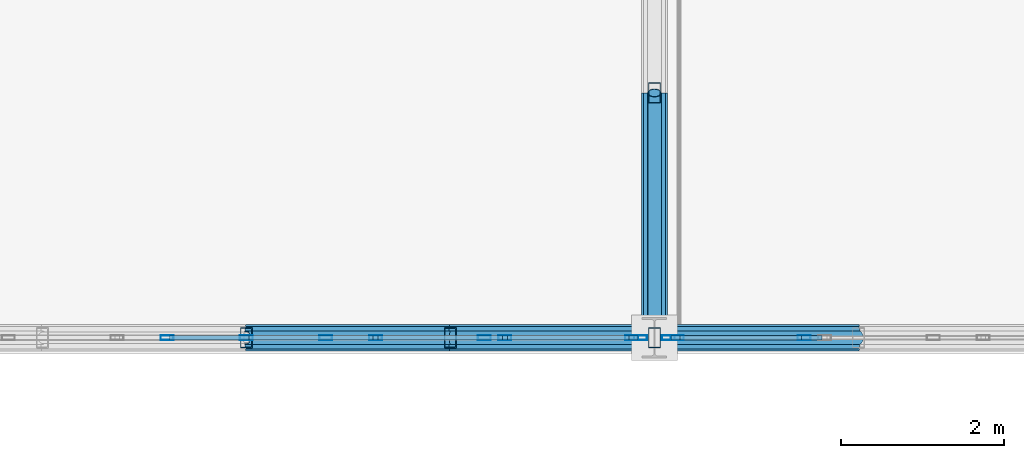
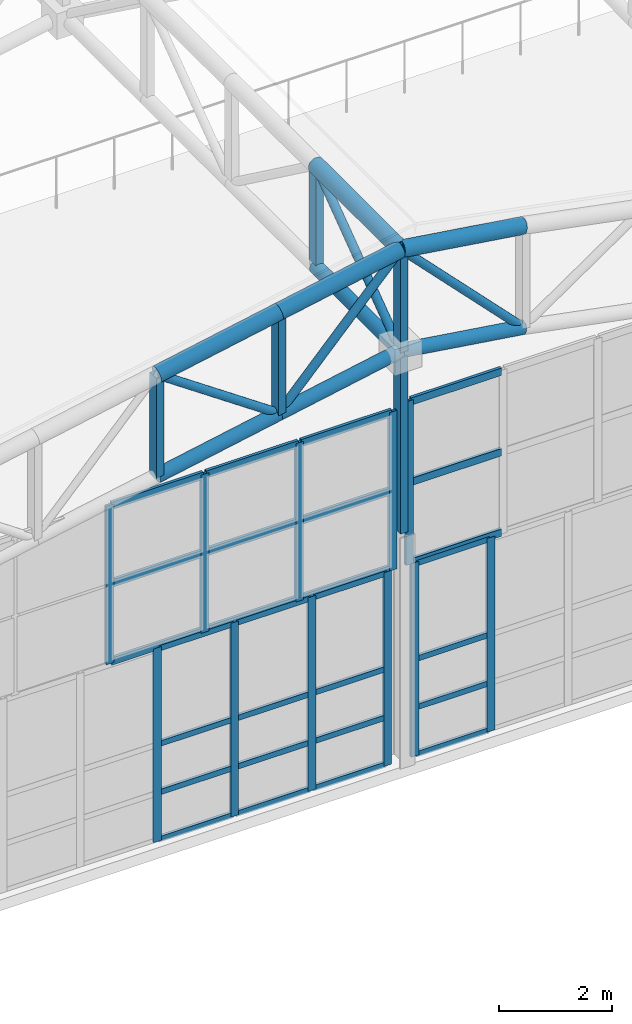
# One storey, part 48 of 112: 55 members, 4 elements without a shape of their own.
"""IFC4 building model written with IfcOpenShell, lengths in metres."""

import ifcopenshell
import ifcopenshell.guid

model = None  # the IFC model being written
_history = None  # IfcOwnerHistory: only IFC2X3 demands one
_inside = {}  # id of a spatial element -> (the spatial element, [elements in it])
_under = {}  # id of a project, library or spatial element -> (it, [spatial elements below it])
_declared = {}  # id of a project -> (the project, [libraries it declares])
_typed = {}  # id of a type object -> (the type object, [elements of that type])
_made_of = {}  # id of a material, layer set ... -> (it, [elements and type objects made of it])


def new_model(schema):
    """Start an empty IFC model of exactly this schema.

    Asked for "IFC4X3", IfcOpenShell would pick the latest addendum, in which some entities
    have other attributes; the version numbers below select the first issue.
    IFC2X3 requires an IfcOwnerHistory on every rooted entity: one is made here for all.
    """
    global model, _history
    if schema == "IFC4X3":
        model = ifcopenshell.file(schema_version=(4, 3, 0, 0))
    else:
        model = ifcopenshell.file(schema=schema)
    _inside.clear()
    _under.clear()
    _declared.clear()
    _typed.clear()
    _made_of.clear()
    _history = None
    if model.schema == "IFC2X3":
        org = make("IfcOrganization", Name="unknown")
        user = make(
            "IfcPersonAndOrganization",
            ThePerson=make("IfcPerson", FamilyName="unknown"),
            TheOrganization=org,
        )
        app = make(
            "IfcApplication",
            ApplicationDeveloper=org,
            Version="unknown",
            ApplicationFullName="unknown",
            ApplicationIdentifier="unknown",
        )
        _history = make(
            "IfcOwnerHistory",
            OwningUser=user,
            OwningApplication=app,
            ChangeAction="ADDED",
            CreationDate=0,
        )
    return model


def make(cls, **values):
    """One entity of the class cls with the attributes given. An attribute that is None is left unset."""
    return model.create_entity(
        cls, **{name: value for name, value in values.items() if value is not None}
    )


def rooted(cls, **values):
    """An entity with a GlobalId (a new one), such as an element, a storey or a relation."""
    return make(cls, GlobalId=ifcopenshell.guid.new(), OwnerHistory=_history, **values)


def si_unit(unit_type, name, prefix=None):
    """IfcSIUnit, for example si_unit("LENGTHUNIT", "METRE", prefix="MILLI")."""
    return make("IfcSIUnit", UnitType=unit_type, Prefix=prefix, Name=name)


def assignment(units):
    """IfcUnitAssignment: the units of a project."""
    return None if units is None else make("IfcUnitAssignment", Units=units)


def point(xyz):
    """IfcCartesianPoint."""
    return None if xyz is None else make("IfcCartesianPoint", Coordinates=xyz)


def direction(xyz):
    """IfcDirection."""
    return None if xyz is None else make("IfcDirection", DirectionRatios=xyz)


def frame(location, z_axis=None, x_axis=None):
    """IfcAxis2Placement3D, a coordinate frame: its origin and axes. An axis left out is left unset."""
    return make(
        "IfcAxis2Placement3D",
        Location=point(location),
        Axis=direction(z_axis),
        RefDirection=direction(x_axis),
    )


def frame_2d(location, x_axis=None):
    """IfcAxis2Placement2D, a coordinate frame in the plane: its origin and x axis."""
    return make(
        "IfcAxis2Placement2D", Location=point(location), RefDirection=direction(x_axis)
    )


def origin():
    """The frame at (0, 0, 0) with its axes left unset."""
    return frame((0.0, 0.0, 0.0))


def origin_2d():
    """The frame at (0, 0) in the plane with its x axis left unset."""
    return frame_2d((0.0, 0.0))


def place(relative_to, where):
    """IfcLocalPlacement: puts the frame where relative to a parent placement (None: the world)."""
    return make(
        "IfcLocalPlacement", PlacementRelTo=relative_to, RelativePlacement=where
    )


def context(
    kind, dimensions, precision=None, world=None, true_north=None, identifier=None
):
    """IfcGeometricRepresentationContext, for example the 3D "Model" context."""
    return make(
        "IfcGeometricRepresentationContext",
        ContextIdentifier=identifier,
        ContextType=kind,
        CoordinateSpaceDimension=dimensions,
        Precision=precision,
        WorldCoordinateSystem=world,
        TrueNorth=true_north,
    )


def subcontext(parent, identifier, kind, view, scale=None):
    """IfcGeometricRepresentationSubContext, for example "Body" below "Model"."""
    return make(
        "IfcGeometricRepresentationSubContext",
        ContextIdentifier=identifier,
        ContextType=kind,
        ParentContext=parent,
        TargetScale=scale,
        TargetView=view,
    )


def project(units=None, contexts=None):
    """IfcProject with its units and contexts."""
    return rooted(
        "IfcProject",
        Name="project",
        RepresentationContexts=contexts,
        UnitsInContext=assignment(units),
    )


def spatial(cls, under=None, at=None, **own):
    """A site, building, storey or space (cls), placed at a placement, below another one or the project."""
    s = rooted(cls, ObjectPlacement=at, **own)
    if under is not None:
        _under.setdefault(under.id(), (under, []))[1].append(s)
    return s


def profile(cls, at=None, kind="AREA", **sizes):
    """A parametric profile (cls). Its sizes go by their IFC names, for example OverallWidth=200.0."""
    return make(cls, ProfileType=kind, Position=at, **sizes)


def hollow_rectangle(**sizes):
    """IfcRectangleHollowProfileDef."""
    return profile("IfcRectangleHollowProfileDef", **sizes)


def hollow_circle(**sizes):
    """IfcCircleHollowProfileDef."""
    return profile("IfcCircleHollowProfileDef", **sizes)


def extrude(swept, where, along, depth):
    """IfcExtrudedAreaSolid: the profile swept, set in the frame where, extruded along a direction by depth."""
    return make(
        "IfcExtrudedAreaSolid",
        SweptArea=swept,
        Position=where,
        ExtrudedDirection=direction(along),
        Depth=depth,
    )


def shape(context_of_items, identifier, shape_type, items):
    """IfcShapeRepresentation: the items that make up one representation, for example the "Body"."""
    return make(
        "IfcShapeRepresentation",
        ContextOfItems=context_of_items,
        RepresentationIdentifier=identifier,
        RepresentationType=shape_type,
        Items=items,
    )


def material(Name=None, Category=None):
    """IfcMaterial."""
    return make("IfcMaterial", Name=Name, Category=Category)


def material_profile(
    of_material, cross_section, Name=None, Category=None, Priority=None
):
    """IfcMaterialProfile: a cross section and its material."""
    return make(
        "IfcMaterialProfile",
        Name=Name,
        Material=of_material,
        Profile=cross_section,
        Priority=Priority,
        Category=Category,
    )


def profile_set(profiles, Name=None, composite=None):
    """IfcMaterialProfileSet."""
    return make(
        "IfcMaterialProfileSet",
        Name=Name,
        MaterialProfiles=profiles,
        CompositeProfile=composite,
    )


def made_of(thing, what):
    """Note that an element or type object is made of a material, layer set ...; save() writes the relation."""
    if what is not None:
        _made_of.setdefault(what.id(), (what, []))[1].append(thing)
    return thing


def type_object(cls, material=None, **own):
    """A type object (cls), such as IfcWallType, which elements share."""
    return made_of(rooted(cls, **own), material)


def element(
    cls,
    number,
    at=None,
    inside=None,
    cuts=None,
    type_object=None,
    material=None,
    context=None,
    identifier="Body",
    shape_type=None,
    held_by="IfcProductDefinitionShape",
    body=None,
    shapes=None,
    **own,
):
    """One element of the class cls, such as IfcWall. Its Tag is "e" and its number.

    at: its placement. inside: the storey or other place that contains it. cuts: it is an
    opening in that element (IfcRelVoidsElement). A single representation is given by context,
    identifier, shape_type and body (its items); several are given by shapes. held_by: the class
    of the entity that holds the representations. save() writes the other relations.
    """
    e = rooted(cls, Tag="e%d" % number, ObjectPlacement=at, **own)
    if body is not None:
        shapes = [shape(context, identifier, shape_type, body)]
    if shapes is not None:
        e.Representation = make(held_by, Representations=shapes)
    if inside is not None:
        _inside.setdefault(inside.id(), (inside, []))[1].append(e)
    if cuts is not None:
        rooted(
            "IfcRelVoidsElement", RelatingBuildingElement=cuts, RelatedOpeningElement=e
        )
    if type_object is not None:
        _typed.setdefault(type_object.id(), (type_object, []))[1].append(e)
    return made_of(e, material)


def aggregate(whole, parts):
    """IfcRelAggregates: a whole, such as a stair, and the parts it consists of."""
    return rooted("IfcRelAggregates", RelatingObject=whole, RelatedObjects=parts)


def save(model, path):
    """Write the relations noted so far, then the file.

    IfcRelAggregates (storeys below a building ...), IfcRelContainedInSpatialStructure (elements
    in a storey), IfcRelDefinesByType, IfcRelAssociatesMaterial and IfcRelDeclares: one each for
    every whole, place, type object, material and project.
    """
    for whole, parts in _under.values():
        aggregate(whole, parts)
    for where, things in _inside.values():
        rooted(
            "IfcRelContainedInSpatialStructure",
            RelatedElements=things,
            RelatingStructure=where,
        )
    for kind, things in _typed.values():
        rooted("IfcRelDefinesByType", RelatedObjects=things, RelatingType=kind)
    for what, things in _made_of.values():
        rooted("IfcRelAssociatesMaterial", RelatedObjects=things, RelatingMaterial=what)
    for by, libraries in _declared.values():
        rooted("IfcRelDeclares", RelatingContext=by, RelatedDefinitions=libraries)
    model.write(path)


model = new_model("IFC4")

# Units and contexts
model_context = context("Model", 3, precision=1e-05, world=origin(), true_north=direction((0.0, 1.0)))
body_context = subcontext(model_context, "Body", "Model", "MODEL_VIEW")
ifc_project = project(units=[si_unit("LENGTHUNIT", "METRE"), si_unit("AREAUNIT", "SQUARE_METRE"), si_unit("VOLUMEUNIT", "CUBIC_METRE"), si_unit("PLANEANGLEUNIT", "RADIAN"), si_unit("MASSUNIT", "GRAM", prefix="KILO")], contexts=[model_context])

# Site, building, storey
site_placement = place(None, origin())
site = spatial("IfcSite", under=ifc_project, at=site_placement, CompositionType="ELEMENT")
building_placement = place(site_placement, origin())
building = spatial("IfcBuilding", under=site, at=building_placement, Name="Kaldris Quays Convention Centre", CompositionType="ELEMENT")
storey_placement = place(building_placement, frame((0.0, 0.0, 16.800048828125)))
storey = spatial("IfcBuildingStorey", under=building, at=storey_placement, Name="L03", CompositionType="ELEMENT", Elevation=16.800048828125)

# Curtain wall, members
ifc_material_1 = material(Name="Anodized aluminium AW-6060 and triple glazing", Category="aluminium")
curtain_wall_type_1 = type_object("IfcCurtainWallType", Name="UNITISED CURTAIN WALL CW01", PredefinedType="NOTDEFINED", material=ifc_material_1)
curtain_wall_1_placement = place(storey_placement, origin())
curtain_wall_1 = element("IfcCurtainWall", 1, at=curtain_wall_1_placement, inside=storey, type_object=curtain_wall_type_1, Name="L03 Unitised Curtain Wall CW01 37", PredefinedType="NOTDEFINED")
ifc_material_2 = material(Name="Anodized aluminium AW-6060", Category="aluminium")
ifc_material_profile_1 = material_profile(ifc_material_2, hollow_rectangle(XDim=0.06005859375, YDim=0.159912109375, WallThickness=0.00390625, at=origin_2d()), Name="RHS 160x60x4")
ifc_profile_set_1 = profile_set([ifc_material_profile_1], Name="Anodized aluminium AW-6060")
member_type_1 = type_object("IfcMemberType", Name="CURTAIN MULLION CWM1", PredefinedType="MULLION", material=ifc_profile_set_1)
member_1_placement = place(storey_placement, frame((179.0, 56.0, 0.0), z_axis=(0.0, 0.0, 1.0), x_axis=(0.0, 1.0, 0.0)))
member_1 = element("IfcMember", 2, at=member_1_placement, type_object=member_type_1, Name="CW01 mullion 4", PredefinedType="MULLION", context=body_context, shape_type="SweptSolid", body=[
    extrude(hollow_rectangle(XDim=0.06005859375, YDim=0.159912109375, WallThickness=0.00390625, at=origin_2d()), origin(), (0.0, 0.0, 1.0), 4.199951171875),
])
member_2_placement = place(storey_placement, frame((180.583251953125, 56.0, 0.0), z_axis=(0.0, 0.0, 1.0), x_axis=(0.0, 1.0, 0.0)))
member_2 = element("IfcMember", 3, at=member_2_placement, type_object=member_type_1, Name="CW01 mullion 5", PredefinedType="MULLION", context=body_context, shape_type="SweptSolid", body=[
    extrude(hollow_rectangle(XDim=0.06005859375, YDim=0.159912109375, WallThickness=0.00390625, at=origin_2d()), origin(), (0.0, 0.0, 1.0), 4.199951171875),
])
member_3_placement = place(storey_placement, frame((182.166748046875, 56.0, 0.0), z_axis=(0.0, 0.0, 1.0), x_axis=(0.0, 1.0, 0.0)))
member_3 = element("IfcMember", 4, at=member_3_placement, type_object=member_type_1, Name="CW01 mullion 6", PredefinedType="MULLION", context=body_context, shape_type="SweptSolid", body=[
    extrude(hollow_rectangle(XDim=0.06005859375, YDim=0.159912109375, WallThickness=0.00390625, at=origin_2d()), origin(), (0.0, 0.0, 1.0), 4.199951171875),
])
member_4_placement = place(storey_placement, frame((183.719970703125, 56.0, 0.0), z_axis=(0.0, 0.0, 1.0), x_axis=(0.0, 1.0, 0.0)))
member_4 = element("IfcMember", 5, at=member_4_placement, type_object=member_type_1, Name="CW01 mullion 7", PredefinedType="MULLION", context=body_context, shape_type="SweptSolid", body=[
    extrude(hollow_rectangle(XDim=0.06005859375, YDim=0.159912109375, WallThickness=0.00390625, at=origin_2d()), origin(), (0.0, 0.0, 1.0), 4.199951171875),
])

curtain_wall_2_placement = place(storey_placement, origin())
curtain_wall_2 = element("IfcCurtainWall", 6, at=curtain_wall_2_placement, inside=storey, type_object=curtain_wall_type_1, Name="L03 Unitised Curtain Wall CW01 38", PredefinedType="NOTDEFINED")
member_5_placement = place(storey_placement, frame((184.280029296875, 56.0, 0.0), z_axis=(0.0, 0.0, 1.0), x_axis=(0.0, 1.0, 0.0)))
member_5 = element("IfcMember", 7, at=member_5_placement, type_object=member_type_1, Name="CW01 mullion 1", PredefinedType="MULLION", context=body_context, shape_type="SweptSolid", body=[
    extrude(hollow_rectangle(XDim=0.06005859375, YDim=0.159912109375, WallThickness=0.00390625, at=origin_2d()), origin(), (0.0, 0.0, 1.0), 4.199951171875),
])
member_6_placement = place(storey_placement, frame((185.833251953125, 56.0, 0.0), z_axis=(0.0, 0.0, 1.0), x_axis=(0.0, 1.0, 0.0)))
member_6 = element("IfcMember", 8, at=member_6_placement, type_object=member_type_1, Name="CW01 mullion 2", PredefinedType="MULLION", context=body_context, shape_type="SweptSolid", body=[
    extrude(hollow_rectangle(XDim=0.06005859375, YDim=0.159912109375, WallThickness=0.00390625, at=origin_2d()), origin(), (0.0, 0.0, 1.0), 4.199951171875),
])

curtain_wall_type_2 = type_object("IfcCurtainWallType", Name="UNITISED CURTAIN WALL CW05", PredefinedType="NOTDEFINED", material=ifc_material_1)
curtain_wall_3_placement = place(storey_placement, origin())
curtain_wall_3 = element("IfcCurtainWall", 9, at=curtain_wall_3_placement, inside=storey, type_object=curtain_wall_type_2, Name="L03 Unitised Curtain Wall CW05 256", PredefinedType="NOTDEFINED")
member_7_placement = place(storey_placement, frame((178.028076171875, 56.0, 4.195068359375), z_axis=(0.0, 0.0, 1.0), x_axis=(0.0, 1.0, 0.0)))
member_7 = element("IfcMember", 10, at=member_7_placement, type_object=member_type_1, Name="CW05 mullion 3", PredefinedType="MULLION", context=body_context, shape_type="SweptSolid", body=[
    extrude(hollow_rectangle(XDim=0.06005859375, YDim=0.159912109375, WallThickness=0.00390625, at=origin_2d()), origin(), (0.0, 0.0, 1.0), 3.432861328125),
])
member_8_placement = place(storey_placement, frame((179.971923828125, 56.0, 4.195068359375), z_axis=(0.0, 0.0, 1.0), x_axis=(0.0, 1.0, 0.0)))
member_8 = element("IfcMember", 11, at=member_8_placement, type_object=member_type_1, Name="CW05 mullion 4", PredefinedType="MULLION", context=body_context, shape_type="SweptSolid", body=[
    extrude(hollow_rectangle(XDim=0.06005859375, YDim=0.159912109375, WallThickness=0.00390625, at=origin_2d()), origin(), (0.0, 0.0, 1.0), 3.432861328125),
])
member_9_placement = place(storey_placement, frame((181.916015625, 56.0, 4.195068359375), z_axis=(0.0, 0.0, 1.0), x_axis=(0.0, 1.0, 0.0)))
member_9 = element("IfcMember", 12, at=member_9_placement, type_object=member_type_1, Name="CW05 mullion 5", PredefinedType="MULLION", context=body_context, shape_type="SweptSolid", body=[
    extrude(hollow_rectangle(XDim=0.06005859375, YDim=0.159912109375, WallThickness=0.00390625, at=origin_2d()), origin(), (0.0, 0.0, 1.0), 3.432861328125),
])
member_10_placement = place(storey_placement, frame((183.830078125, 56.0, 4.195068359375), z_axis=(0.0, 0.0, 1.0), x_axis=(0.0, 1.0, 0.0)))
member_10 = element("IfcMember", 13, at=member_10_placement, type_object=member_type_1, Name="CW05 mullion 6", PredefinedType="MULLION", context=body_context, shape_type="SweptSolid", body=[
    extrude(hollow_rectangle(XDim=0.06005859375, YDim=0.159912109375, WallThickness=0.00390625, at=origin_2d()), origin(), (0.0, 0.0, 1.0), 3.432861328125),
])

# Curtain wall, member
curtain_wall_4_placement = place(storey_placement, origin())
curtain_wall_4 = element("IfcCurtainWall", 14, at=curtain_wall_4_placement, inside=storey, type_object=curtain_wall_type_2, Name="L03 Unitised Curtain Wall CW05 257", PredefinedType="NOTDEFINED")
member_11_placement = place(storey_placement, frame((184.169921875, 56.0, 4.195068359375), z_axis=(0.0, 0.0, 1.0), x_axis=(0.0, 1.0, 0.0)))
member_11 = element("IfcMember", 15, at=member_11_placement, type_object=member_type_1, Name="CW05 mullion 1", PredefinedType="MULLION", context=body_context, shape_type="SweptSolid", body=[
    extrude(hollow_rectangle(XDim=0.06005859375, YDim=0.159912109375, WallThickness=0.00390625, at=origin_2d()), origin(), (0.0, 0.0, 1.0), 3.5478515625),
])

# Member
ifc_material_profile_2 = material_profile(ifc_material_2, hollow_rectangle(XDim=0.06005859375, YDim=0.1201171875, WallThickness=0.00390625, at=origin_2d()), Name="RHS 120x60x4")
ifc_profile_set_2 = profile_set([ifc_material_profile_2], Name="Anodized aluminium AW-6060")
member_type_2 = type_object("IfcMemberType", Name="CURTAIN TRANSOM CWT1", PredefinedType="USERDEFINED", material=ifc_profile_set_2)
member_12_placement = place(storey_placement, frame((179.030029296875, 56.0, 0.030029296875), z_axis=(1.0, 0.0, 0.0), x_axis=(0.0, 1.0, 0.0)))
member_12 = element("IfcMember", 16, at=member_12_placement, type_object=member_type_2, Name="CW01 transom 4.1", ObjectType="TRANSOM", PredefinedType="USERDEFINED", context=body_context, shape_type="SweptSolid", body=[
    extrude(hollow_rectangle(XDim=0.06005859375, YDim=0.1201171875, WallThickness=0.00390625, at=origin_2d()), origin(), (0.0, 0.0, 1.0), 1.523193359375),
])

member_13_placement = place(storey_placement, frame((179.030029296875, 56.0, 1.050048828125), z_axis=(1.0, 0.0, 0.0), x_axis=(0.0, 1.0, 0.0)))
member_13 = element("IfcMember", 17, at=member_13_placement, type_object=member_type_2, Name="CW01 transom 4.2", ObjectType="TRANSOM", PredefinedType="USERDEFINED", context=body_context, shape_type="SweptSolid", body=[
    extrude(hollow_rectangle(XDim=0.06005859375, YDim=0.1201171875, WallThickness=0.00390625, at=origin_2d()), origin(), (0.0, 0.0, 1.0), 1.523193359375),
])

member_14_placement = place(storey_placement, frame((179.030029296875, 56.0, 2.099853515625), z_axis=(1.0, 0.0, 0.0), x_axis=(0.0, 1.0, 0.0)))
member_14 = element("IfcMember", 18, at=member_14_placement, type_object=member_type_2, Name="CW01 transom 4.3", ObjectType="TRANSOM", PredefinedType="USERDEFINED", context=body_context, shape_type="SweptSolid", body=[
    extrude(hollow_rectangle(XDim=0.06005859375, YDim=0.1201171875, WallThickness=0.00390625, at=origin_2d()), origin(), (0.0, 0.0, 1.0), 1.523193359375),
])

member_15_placement = place(storey_placement, frame((179.030029296875, 56.0, 4.169921875), z_axis=(1.0, 0.0, 0.0), x_axis=(0.0, 1.0, 0.0)))
member_15 = element("IfcMember", 19, at=member_15_placement, type_object=member_type_2, Name="CW01 transom 4.4", ObjectType="TRANSOM", PredefinedType="USERDEFINED", context=body_context, shape_type="SweptSolid", body=[
    extrude(hollow_rectangle(XDim=0.06005859375, YDim=0.1201171875, WallThickness=0.00390625, at=origin_2d()), origin(), (0.0, 0.0, 1.0), 1.523193359375),
])

member_16_placement = place(storey_placement, frame((180.61328125, 56.0, 0.030029296875), z_axis=(1.0, 0.0, 0.0), x_axis=(0.0, 1.0, 0.0)))
member_16 = element("IfcMember", 20, at=member_16_placement, type_object=member_type_2, Name="CW01 transom 5.1", ObjectType="TRANSOM", PredefinedType="USERDEFINED", context=body_context, shape_type="SweptSolid", body=[
    extrude(hollow_rectangle(XDim=0.06005859375, YDim=0.1201171875, WallThickness=0.00390625, at=origin_2d()), origin(), (0.0, 0.0, 1.0), 1.5234375),
])

member_17_placement = place(storey_placement, frame((180.61328125, 56.0, 1.050048828125), z_axis=(1.0, 0.0, 0.0), x_axis=(0.0, 1.0, 0.0)))
member_17 = element("IfcMember", 21, at=member_17_placement, type_object=member_type_2, Name="CW01 transom 5.2", ObjectType="TRANSOM", PredefinedType="USERDEFINED", context=body_context, shape_type="SweptSolid", body=[
    extrude(hollow_rectangle(XDim=0.06005859375, YDim=0.1201171875, WallThickness=0.00390625, at=origin_2d()), origin(), (0.0, 0.0, 1.0), 1.5234375),
])

member_18_placement = place(storey_placement, frame((180.61328125, 56.0, 2.099853515625), z_axis=(1.0, 0.0, 0.0), x_axis=(0.0, 1.0, 0.0)))
member_18 = element("IfcMember", 22, at=member_18_placement, type_object=member_type_2, Name="CW01 transom 5.3", ObjectType="TRANSOM", PredefinedType="USERDEFINED", context=body_context, shape_type="SweptSolid", body=[
    extrude(hollow_rectangle(XDim=0.06005859375, YDim=0.1201171875, WallThickness=0.00390625, at=origin_2d()), origin(), (0.0, 0.0, 1.0), 1.5234375),
])

member_19_placement = place(storey_placement, frame((180.61328125, 56.0, 4.169921875), z_axis=(1.0, 0.0, 0.0), x_axis=(0.0, 1.0, 0.0)))
member_19 = element("IfcMember", 23, at=member_19_placement, type_object=member_type_2, Name="CW01 transom 5.4", ObjectType="TRANSOM", PredefinedType="USERDEFINED", context=body_context, shape_type="SweptSolid", body=[
    extrude(hollow_rectangle(XDim=0.06005859375, YDim=0.1201171875, WallThickness=0.00390625, at=origin_2d()), origin(), (0.0, 0.0, 1.0), 1.5234375),
])

member_20_placement = place(storey_placement, frame((182.19677734375, 56.0, 0.030029296875), z_axis=(1.0, 0.0, 0.0), x_axis=(0.0, 1.0, 0.0)))
member_20 = element("IfcMember", 24, at=member_20_placement, type_object=member_type_2, Name="CW01 transom 6.1", ObjectType="TRANSOM", PredefinedType="USERDEFINED", context=body_context, shape_type="SweptSolid", body=[
    extrude(hollow_rectangle(XDim=0.06005859375, YDim=0.1201171875, WallThickness=0.00390625, at=origin_2d()), origin(), (0.0, 0.0, 1.0), 1.4931640625),
])

member_21_placement = place(storey_placement, frame((182.19677734375, 56.0, 1.050048828125), z_axis=(1.0, 0.0, 0.0), x_axis=(0.0, 1.0, 0.0)))
member_21 = element("IfcMember", 25, at=member_21_placement, type_object=member_type_2, Name="CW01 transom 6.2", ObjectType="TRANSOM", PredefinedType="USERDEFINED", context=body_context, shape_type="SweptSolid", body=[
    extrude(hollow_rectangle(XDim=0.06005859375, YDim=0.1201171875, WallThickness=0.00390625, at=origin_2d()), origin(), (0.0, 0.0, 1.0), 1.4931640625),
])

member_22_placement = place(storey_placement, frame((182.19677734375, 56.0, 2.099853515625), z_axis=(1.0, 0.0, 0.0), x_axis=(0.0, 1.0, 0.0)))
member_22 = element("IfcMember", 26, at=member_22_placement, type_object=member_type_2, Name="CW01 transom 6.3", ObjectType="TRANSOM", PredefinedType="USERDEFINED", context=body_context, shape_type="SweptSolid", body=[
    extrude(hollow_rectangle(XDim=0.06005859375, YDim=0.1201171875, WallThickness=0.00390625, at=origin_2d()), origin(), (0.0, 0.0, 1.0), 1.4931640625),
])

member_23_placement = place(storey_placement, frame((182.19677734375, 56.0, 4.169921875), z_axis=(1.0, 0.0, 0.0), x_axis=(0.0, 1.0, 0.0)))
member_23 = element("IfcMember", 27, at=member_23_placement, type_object=member_type_2, Name="CW01 transom 6.4", ObjectType="TRANSOM", PredefinedType="USERDEFINED", context=body_context, shape_type="SweptSolid", body=[
    extrude(hollow_rectangle(XDim=0.06005859375, YDim=0.1201171875, WallThickness=0.00390625, at=origin_2d()), origin(), (0.0, 0.0, 1.0), 1.4931640625),
])

aggregate(curtain_wall_1, [member_1, member_2, member_3, member_4, member_12, member_13, member_14, member_15, member_16, member_17, member_18, member_19, member_20, member_21, member_22, member_23])

member_24_placement = place(storey_placement, frame((184.31005859375, 56.0, 0.030029296875), z_axis=(1.0, 0.0, 0.0), x_axis=(0.0, 1.0, 0.0)))
member_24 = element("IfcMember", 28, at=member_24_placement, type_object=member_type_2, Name="CW01 transom 1.1", ObjectType="TRANSOM", PredefinedType="USERDEFINED", context=body_context, shape_type="SweptSolid", body=[
    extrude(hollow_rectangle(XDim=0.06005859375, YDim=0.1201171875, WallThickness=0.00390625, at=origin_2d()), origin(), (0.0, 0.0, 1.0), 1.4931640625),
])

member_25_placement = place(storey_placement, frame((184.31005859375, 56.0, 1.050048828125), z_axis=(1.0, 0.0, 0.0), x_axis=(0.0, 1.0, 0.0)))
member_25 = element("IfcMember", 29, at=member_25_placement, type_object=member_type_2, Name="CW01 transom 1.2", ObjectType="TRANSOM", PredefinedType="USERDEFINED", context=body_context, shape_type="SweptSolid", body=[
    extrude(hollow_rectangle(XDim=0.06005859375, YDim=0.1201171875, WallThickness=0.00390625, at=origin_2d()), origin(), (0.0, 0.0, 1.0), 1.4931640625),
])

member_26_placement = place(storey_placement, frame((184.31005859375, 56.0, 2.099853515625), z_axis=(1.0, 0.0, 0.0), x_axis=(0.0, 1.0, 0.0)))
member_26 = element("IfcMember", 30, at=member_26_placement, type_object=member_type_2, Name="CW01 transom 1.3", ObjectType="TRANSOM", PredefinedType="USERDEFINED", context=body_context, shape_type="SweptSolid", body=[
    extrude(hollow_rectangle(XDim=0.06005859375, YDim=0.1201171875, WallThickness=0.00390625, at=origin_2d()), origin(), (0.0, 0.0, 1.0), 1.4931640625),
])

member_27_placement = place(storey_placement, frame((184.31005859375, 56.0, 4.169921875), z_axis=(1.0, 0.0, 0.0), x_axis=(0.0, 1.0, 0.0)))
member_27 = element("IfcMember", 31, at=member_27_placement, type_object=member_type_2, Name="CW01 transom 1.4", ObjectType="TRANSOM", PredefinedType="USERDEFINED", context=body_context, shape_type="SweptSolid", body=[
    extrude(hollow_rectangle(XDim=0.06005859375, YDim=0.1201171875, WallThickness=0.00390625, at=origin_2d()), origin(), (0.0, 0.0, 1.0), 1.4931640625),
])

aggregate(curtain_wall_2, [member_5, member_6, member_24, member_25, member_26, member_27])

ifc_material_profile_3 = material_profile(ifc_material_2, hollow_rectangle(XDim=0.06005859375, YDim=0.159912109375, WallThickness=0.00390625, at=origin_2d()), Name="RHS 160x60x4")
ifc_profile_set_3 = profile_set([ifc_material_profile_3], Name="Anodized aluminium AW-6060")
member_type_3 = type_object("IfcMemberType", Name="CURTAIN TRANSOM CWT2", PredefinedType="USERDEFINED", material=ifc_profile_set_3)
member_28_placement = place(storey_placement, frame((178.05810546875, 56.0, 4.224853515625), z_axis=(1.0, 0.0, 0.0), x_axis=(0.0, 1.0, 0.0)))
member_28 = element("IfcMember", 32, at=member_28_placement, type_object=member_type_3, Name="CW05 transom 3.1", ObjectType="TRANSOM", PredefinedType="USERDEFINED", context=body_context, shape_type="SweptSolid", body=[
    extrude(hollow_rectangle(XDim=0.06005859375, YDim=0.159912109375, WallThickness=0.00390625, at=origin_2d()), origin(), (0.0, 0.0, 1.0), 1.8837890625),
])

member_29_placement = place(storey_placement, frame((178.05810546875, 56.0, 5.911865234375), z_axis=(1.0, 0.0, 0.0), x_axis=(0.0, 1.0, 0.0)))
member_29 = element("IfcMember", 33, at=member_29_placement, type_object=member_type_3, Name="CW05 transom 3.2", ObjectType="TRANSOM", PredefinedType="USERDEFINED", context=body_context, shape_type="SweptSolid", body=[
    extrude(hollow_rectangle(XDim=0.06005859375, YDim=0.159912109375, WallThickness=0.00390625, at=origin_2d()), origin(), (0.0, 0.0, 1.0), 1.8837890625),
])

member_30_placement = place(storey_placement, frame((178.05810546875, 56.0, 7.597900390625), z_axis=(1.0, 0.0, 0.0), x_axis=(0.0, 1.0, 0.0)))
member_30 = element("IfcMember", 34, at=member_30_placement, type_object=member_type_3, Name="CW05 transom 3.3", ObjectType="TRANSOM", PredefinedType="USERDEFINED", context=body_context, shape_type="SweptSolid", body=[
    extrude(hollow_rectangle(XDim=0.06005859375, YDim=0.159912109375, WallThickness=0.00390625, at=origin_2d()), origin(), (0.0, 0.0, 1.0), 1.8837890625),
])

member_31_placement = place(storey_placement, frame((180.001953125, 56.0, 4.224853515625), z_axis=(1.0, 0.0, 0.0), x_axis=(0.0, 1.0, 0.0)))
member_31 = element("IfcMember", 35, at=member_31_placement, type_object=member_type_3, Name="CW05 transom 4.1", ObjectType="TRANSOM", PredefinedType="USERDEFINED", context=body_context, shape_type="SweptSolid", body=[
    extrude(hollow_rectangle(XDim=0.06005859375, YDim=0.159912109375, WallThickness=0.00390625, at=origin_2d()), origin(), (0.0, 0.0, 1.0), 1.884033203125),
])

member_32_placement = place(storey_placement, frame((180.001953125, 56.0, 5.911865234375), z_axis=(1.0, 0.0, 0.0), x_axis=(0.0, 1.0, 0.0)))
member_32 = element("IfcMember", 36, at=member_32_placement, type_object=member_type_3, Name="CW05 transom 4.2", ObjectType="TRANSOM", PredefinedType="USERDEFINED", context=body_context, shape_type="SweptSolid", body=[
    extrude(hollow_rectangle(XDim=0.06005859375, YDim=0.159912109375, WallThickness=0.00390625, at=origin_2d()), origin(), (0.0, 0.0, 1.0), 1.884033203125),
])

member_33_placement = place(storey_placement, frame((180.001953125, 56.0, 7.597900390625), z_axis=(1.0, 0.0, 0.0), x_axis=(0.0, 1.0, 0.0)))
member_33 = element("IfcMember", 37, at=member_33_placement, type_object=member_type_3, Name="CW05 transom 4.3", ObjectType="TRANSOM", PredefinedType="USERDEFINED", context=body_context, shape_type="SweptSolid", body=[
    extrude(hollow_rectangle(XDim=0.06005859375, YDim=0.159912109375, WallThickness=0.00390625, at=origin_2d()), origin(), (0.0, 0.0, 1.0), 1.884033203125),
])

member_34_placement = place(storey_placement, frame((181.946044921875, 56.0, 4.224853515625), z_axis=(1.0, 0.0, 0.0), x_axis=(0.0, 1.0, 0.0)))
member_34 = element("IfcMember", 38, at=member_34_placement, type_object=member_type_3, Name="CW05 transom 5.1", ObjectType="TRANSOM", PredefinedType="USERDEFINED", context=body_context, shape_type="SweptSolid", body=[
    extrude(hollow_rectangle(XDim=0.06005859375, YDim=0.159912109375, WallThickness=0.00390625, at=origin_2d()), origin(), (0.0, 0.0, 1.0), 1.85400390625),
])

member_35_placement = place(storey_placement, frame((181.946044921875, 56.0, 5.911865234375), z_axis=(1.0, 0.0, 0.0), x_axis=(0.0, 1.0, 0.0)))
member_35 = element("IfcMember", 39, at=member_35_placement, type_object=member_type_3, Name="CW05 transom 5.2", ObjectType="TRANSOM", PredefinedType="USERDEFINED", context=body_context, shape_type="SweptSolid", body=[
    extrude(hollow_rectangle(XDim=0.06005859375, YDim=0.159912109375, WallThickness=0.00390625, at=origin_2d()), origin(), (0.0, 0.0, 1.0), 1.85400390625),
])

member_36_placement = place(storey_placement, frame((181.946044921875, 56.0, 7.597900390625), z_axis=(1.0, 0.0, 0.0), x_axis=(0.0, 1.0, 0.0)))
member_36 = element("IfcMember", 40, at=member_36_placement, type_object=member_type_3, Name="CW05 transom 5.3", ObjectType="TRANSOM", PredefinedType="USERDEFINED", context=body_context, shape_type="SweptSolid", body=[
    extrude(hollow_rectangle(XDim=0.06005859375, YDim=0.159912109375, WallThickness=0.00390625, at=origin_2d()), origin(), (0.0, 0.0, 1.0), 1.85400390625),
])

aggregate(curtain_wall_3, [member_7, member_8, member_9, member_10, member_28, member_29, member_30, member_31, member_32, member_33, member_34, member_35, member_36])

member_37_placement = place(storey_placement, frame((184.199951171875, 56.0, 4.224853515625), z_axis=(1.0, 0.0, 0.0), x_axis=(0.0, 1.0, 0.0)))
member_37 = element("IfcMember", 41, at=member_37_placement, type_object=member_type_3, Name="CW05 transom 1.1", ObjectType="TRANSOM", PredefinedType="USERDEFINED", context=body_context, shape_type="SweptSolid", body=[
    extrude(hollow_rectangle(XDim=0.06005859375, YDim=0.159912109375, WallThickness=0.00390625, at=origin_2d()), origin(), (0.0, 0.0, 1.0), 1.85400390625),
])

member_38_placement = place(storey_placement, frame((184.199951171875, 56.0, 5.968994140625), z_axis=(1.0, 0.0, 0.0), x_axis=(0.0, 1.0, 0.0)))
member_38 = element("IfcMember", 42, at=member_38_placement, type_object=member_type_3, Name="CW05 transom 1.2", ObjectType="TRANSOM", PredefinedType="USERDEFINED", context=body_context, shape_type="SweptSolid", body=[
    extrude(hollow_rectangle(XDim=0.06005859375, YDim=0.159912109375, WallThickness=0.00390625, at=origin_2d()), origin(), (0.0, 0.0, 1.0), 1.85400390625),
])

member_39_placement = place(storey_placement, frame((184.199951171875, 56.0, 7.712890625), z_axis=(1.0, 0.0, 0.0), x_axis=(0.0, 1.0, 0.0)))
member_39 = element("IfcMember", 43, at=member_39_placement, type_object=member_type_3, Name="CW05 transom 1.3", ObjectType="TRANSOM", PredefinedType="USERDEFINED", context=body_context, shape_type="SweptSolid", body=[
    extrude(hollow_rectangle(XDim=0.06005859375, YDim=0.159912109375, WallThickness=0.00390625, at=origin_2d()), origin(), (0.0, 0.0, 1.0), 1.85400390625),
])

aggregate(curtain_wall_4, [member_11, member_37, member_38, member_39])

# Members
ifc_material_3 = material(Name="Steel S355J2H", Category="steel")
ifc_material_profile_4 = material_profile(ifc_material_3, hollow_circle(Radius=0.161865234375, WallThickness=0.01611328125, at=origin_2d()), Name="CHS 323.9x16")
ifc_profile_set_4 = profile_set([ifc_material_profile_4], Name="Steel S355J2H")
member_type_4 = type_object("IfcMemberType", Name="STRUCTURAL MEMBER SC03", PredefinedType="CHORD", material=ifc_profile_set_4)
for number, where, z_axis, x_axis, name in (
    (44, (179.0, 56.0, 10.108154296875), (0.981903710383, 0.0, 0.189380842579), (0.0, 1.0, 0.0), "SF-V2 Top Chord X 6"),
    (45, (181.5, 56.0, 10.59033203125), (0.981903710383, 0.0, 0.189380842579), (0.0, 1.0, 0.0), "SF-V2 Top Chord X 7"),
):
    element("IfcMember", number, at=place(storey_placement, frame(where, z_axis=z_axis, x_axis=x_axis)), inside=storey, type_object=member_type_4, Name=name, PredefinedType="CHORD", context=body_context, shape_type="SweptSolid", body=[
        extrude(hollow_circle(Radius=0.161865234375, WallThickness=0.01611328125, at=origin_2d()), origin(), (0.0, 0.0, 1.0), 2.546142578125),
    ])
member_40_placement = place(storey_placement, frame((184.0, 56.0, 11.072509765625), z_axis=(0.989426934202, 0.0, -0.145032209789), x_axis=(0.0, 1.0, 0.0)))
element("IfcMember", 46, at=member_40_placement, inside=storey, type_object=member_type_4, Name="SF-V2 Top Chord X 8", PredefinedType="CHORD", context=body_context, shape_type="SweptSolid", body=[
    extrude(hollow_circle(Radius=0.161865234375, WallThickness=0.01611328125, at=origin_2d()), origin(), (0.0, 0.0, 1.0), 2.526611328125),
])
member_41_placement = place(storey_placement, frame((184.0, 56.0, 11.072509765625), z_axis=(0.0, 1.0, 0.0), x_axis=(-1.0, 0.0, 0.0)))
element("IfcMember", 47, at=member_41_placement, inside=storey, type_object=member_type_4, Name="SF-V2 Top Chord Y 108", PredefinedType="CHORD", context=body_context, shape_type="SweptSolid", body=[
    extrude(hollow_circle(Radius=0.161865234375, WallThickness=0.01611328125, at=origin_2d()), origin(), (0.0, 0.0, 1.0), 3.0),
])
ifc_material_profile_5 = material_profile(ifc_material_3, hollow_circle(Radius=0.136474609375, WallThickness=0.012451171875, at=origin_2d()), Name="CHS 273x12.5")
ifc_profile_set_5 = profile_set([ifc_material_profile_5], Name="Steel S355J2H")
member_type_5 = type_object("IfcMemberType", Name="STRUCTURAL MEMBER SC04", PredefinedType="CHORD", material=ifc_profile_set_5)
for number, where, z_axis, x_axis, name in (
    (48, (179.0, 56.0, 7.908203125), (0.981903710383, 0.0, 0.189380842579), (0.0, 1.0, 0.0), "SF-V2 Bottom Chord X 6"),
    (49, (181.5, 56.0, 8.390380859375), (0.981903710383, 0.0, 0.189380842579), (0.0, 1.0, 0.0), "SF-V2 Bottom Chord X 7"),
):
    element("IfcMember", number, at=place(storey_placement, frame(where, z_axis=z_axis, x_axis=x_axis)), inside=storey, type_object=member_type_5, Name=name, PredefinedType="CHORD", context=body_context, shape_type="SweptSolid", body=[
        extrude(hollow_circle(Radius=0.136474609375, WallThickness=0.012451171875, at=origin_2d()), origin(), (0.0, 0.0, 1.0), 2.546142578125),
    ])
member_42_placement = place(storey_placement, frame((184.0, 56.0, 8.87255859375), z_axis=(0.989426934202, 0.0, -0.145032209789), x_axis=(0.0, 1.0, 0.0)))
element("IfcMember", 50, at=member_42_placement, inside=storey, type_object=member_type_5, Name="SF-V2 Bottom Chord X 8", PredefinedType="CHORD", context=body_context, shape_type="SweptSolid", body=[
    extrude(hollow_circle(Radius=0.136474609375, WallThickness=0.012451171875, at=origin_2d()), origin(), (0.0, 0.0, 1.0), 2.526611328125),
])
member_43_placement = place(storey_placement, frame((184.0, 56.0, 8.87255859375), z_axis=(0.0, 1.0, 0.0), x_axis=(-1.0, 0.0, 0.0)))
element("IfcMember", 51, at=member_43_placement, inside=storey, type_object=member_type_5, Name="SF-V2 Bottom Chord Y 108", PredefinedType="CHORD", context=body_context, shape_type="SweptSolid", body=[
    extrude(hollow_circle(Radius=0.136474609375, WallThickness=0.012451171875, at=origin_2d()), origin(), (0.0, 0.0, 1.0), 3.0),
])
ifc_material_profile_6 = material_profile(ifc_material_3, hollow_circle(Radius=0.084228515625, WallThickness=0.008056640625, at=origin_2d()), Name="CHS 168.3x8")
ifc_profile_set_6 = profile_set([ifc_material_profile_6], Name="Steel S355J2H")
member_type_6 = type_object("IfcMemberType", Name="STRUCTURAL MEMBER SWB2", PredefinedType="BRACE", material=ifc_profile_set_6)
member_44_placement = place(storey_placement, frame((181.5, 56.0, 8.390380859375), z_axis=(-0.8241921955, 0.0, 0.56631018433), x_axis=(0.0, -1.0, 0.0)))
element("IfcMember", 52, at=member_44_placement, inside=storey, type_object=member_type_6, Name="SF-V2 Web Diagonal X 6", PredefinedType="BRACE", context=body_context, shape_type="SweptSolid", body=[
    extrude(hollow_circle(Radius=0.084228515625, WallThickness=0.008056640625, at=origin_2d()), origin(), (0.0, 0.0, 1.0), 3.033203125),
])
member_45_placement = place(storey_placement, frame((181.5, 56.0, 8.390380859375), z_axis=(0.68183413121, 0.0, 0.731506813035), x_axis=(0.0, 1.0, 0.0)))
element("IfcMember", 53, at=member_45_placement, inside=storey, type_object=member_type_6, Name="SF-V2 Web Diagonal X 7", PredefinedType="BRACE", context=body_context, shape_type="SweptSolid", body=[
    extrude(hollow_circle(Radius=0.084228515625, WallThickness=0.008056640625, at=origin_2d()), origin(), (0.0, 0.0, 1.0), 3.66650390625),
])
member_46_placement = place(storey_placement, frame((186.5, 56.0, 8.506103515625), z_axis=(-0.697778676232, 0.0, 0.71631342232), x_axis=(0.0, -1.0, 0.0)))
element("IfcMember", 54, at=member_46_placement, inside=storey, type_object=member_type_6, Name="SF-V2 Web Diagonal X 8", PredefinedType="BRACE", context=body_context, shape_type="SweptSolid", body=[
    extrude(hollow_circle(Radius=0.084228515625, WallThickness=0.008056640625, at=origin_2d()), origin(), (0.0, 0.0, 1.0), 3.582763671875),
])
member_47_placement = place(storey_placement, frame((184.0, 56.0, 8.87255859375), z_axis=(0.0, 0.80641125493, 0.591355128432), x_axis=(-1.0, 0.0, 0.0)))
element("IfcMember", 55, at=member_47_placement, inside=storey, type_object=member_type_6, Name="SF-V2 Web Diagonal Y 108", PredefinedType="BRACE", context=body_context, shape_type="SweptSolid", body=[
    extrude(hollow_circle(Radius=0.084228515625, WallThickness=0.008056640625, at=origin_2d()), origin(), (0.0, 0.0, 1.0), 3.72021484375),
])
ifc_material_profile_7 = material_profile(ifc_material_3, hollow_rectangle(XDim=0.14990234375, YDim=0.25, WallThickness=0.010009765625, at=origin_2d()), Name="RHS 250x150x10")
ifc_profile_set_7 = profile_set([ifc_material_profile_7], Name="Steel S355J2H")
member_type_7 = type_object("IfcMemberType", Name="STRUCTURAL MEMBER TTV1", PredefinedType="POST", material=ifc_profile_set_7)
for number, where, z_axis, x_axis, name in (
    (56, (179.0, 56.0, 7.908203125), (0.0, 0.0, 1.0), (1.0, 0.0, 0.0), "SF-V2 Space-Frame Post 50"),
    (57, (181.5, 56.0, 8.390380859375), (0.0, 0.0, 1.0), (1.0, 0.0, 0.0), "SF-V2 Space-Frame Post 55"),
):
    element("IfcMember", number, at=place(storey_placement, frame(where, z_axis=z_axis, x_axis=x_axis)), inside=storey, type_object=member_type_7, Name=name, PredefinedType="POST", context=body_context, shape_type="SweptSolid", body=[
        extrude(hollow_rectangle(XDim=0.14990234375, YDim=0.25, WallThickness=0.010009765625, at=origin_2d()), origin(), (0.0, 0.0, 1.0), 2.199951171875),
    ])
member_48_placement = place(storey_placement, frame((184.0, 56.0, 4.993896484375), z_axis=(0.0, 0.0, 1.0), x_axis=(1.0, 0.0, 0.0)))
element("IfcMember", 58, at=member_48_placement, inside=storey, type_object=member_type_7, Name="SF-V2 Space-Frame Post 60", PredefinedType="POST", context=body_context, shape_type="SweptSolid", body=[
    extrude(hollow_rectangle(XDim=0.14990234375, YDim=0.25, WallThickness=0.010009765625, at=origin_2d()), origin(), (0.0, 0.0, 1.0), 6.07861328125),
])
member_49_placement = place(storey_placement, frame((184.0, 59.0, 8.87255859375), z_axis=(0.0, 0.0, 1.0), x_axis=(1.0, 0.0, 0.0)))
element("IfcMember", 59, at=member_49_placement, inside=storey, type_object=member_type_7, Name="SF-V2 Space-Frame Post 61", PredefinedType="POST", context=body_context, shape_type="SweptSolid", body=[
    extrude(hollow_rectangle(XDim=0.14990234375, YDim=0.25, WallThickness=0.010009765625, at=origin_2d()), origin(), (0.0, 0.0, 1.0), 2.199951171875),
])

save(model, "model.ifc")
